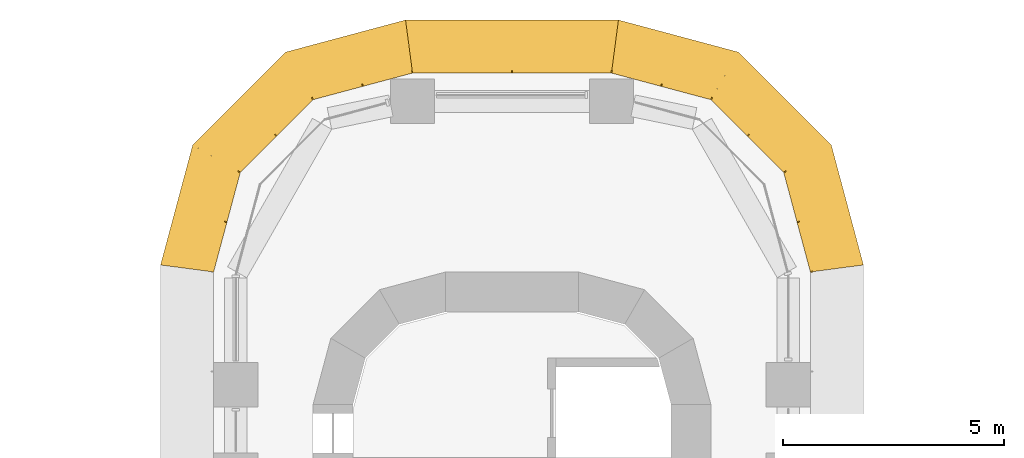
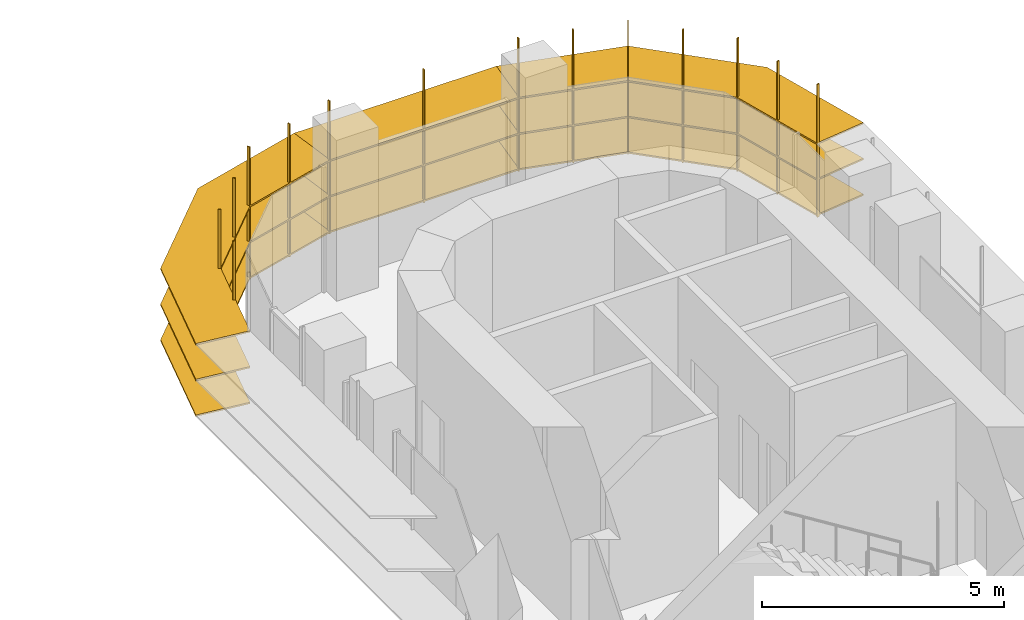
# One storey, part 23 of 23: 3 shading devices.
"""IFC4 building model written with IfcOpenShell, lengths in metres."""

from ifc_helpers import new_model, si_unit, direction, frame, origin, place, context, subcontext, project, spatial, polyline, outline, extrude, faceted_brep, source, transform, mapped, material, type_object, element, save


model = new_model("IFC4")

# Units and contexts
model_context = context("Model", 3, precision=1e-05, world=origin(), true_north=direction((0.0, 1.0)))
body_context = subcontext(model_context, "Body", "Model", "MODEL_VIEW")
ifc_project = project(units=[si_unit("LENGTHUNIT", "METRE"), si_unit("AREAUNIT", "SQUARE_METRE"), si_unit("VOLUMEUNIT", "CUBIC_METRE"), si_unit("PLANEANGLEUNIT", "RADIAN"), si_unit("MASSUNIT", "GRAM", prefix="KILO")], contexts=[model_context])

# Site, building, storey
site_placement = place(None, origin())
site = spatial("IfcSite", under=ifc_project, at=site_placement, CompositionType="ELEMENT")
building_placement = place(site_placement, origin())
building = spatial("IfcBuilding", under=site, at=building_placement, Name="Zarbagh Exchange Tower", CompositionType="ELEMENT")
storey_placement = place(building_placement, frame((0.0, 0.0, 48.0)))
storey = spatial("IfcBuildingStorey", under=building, at=storey_placement, Name="L10", CompositionType="ELEMENT", Elevation=48.0)

# Shading devices
ifc_material = material(Name="Anodised aluminium blades and brackets", Category="aluminium")
shading_device_type = type_object("IfcShadingDeviceType", Name="SUNSHADE louvre band, 0 degree blades", PredefinedType="JALOUSIE", material=ifc_material)
shared_shape_1 = source(origin(), body_context, "Body", "Brep", [
    faceted_brep([(0.0, 0.0, 0.0), (0.0, 0.0, -0.0400390625), (-0.157958984375, -1.199951171875, -0.0400390625), (-0.157958984375, -1.199951171875, 0.0), (2.65087890625, -1.199951171875, 0.0), (2.65087890625, -1.199951171875, -0.0400390625), (2.329345703125, 0.0, -0.0400390625), (2.329345703125, 0.0, 0.0)], [[[0, 1, 2, 3]], [[4, 5, 6, 7]], [[0, 7, 6, 1]], [[1, 6, 5, 2]], [[2, 5, 4, 3]], [[3, 4, 7, 0]]]),
])
shared_shape_2 = source(origin(), body_context, "Body", "Brep", [
    faceted_brep([(0.0, 0.0, 0.0), (0.0, 0.0, -0.0400390625), (-0.321533203125, -1.199951171875, -0.0400390625), (-0.321533203125, -1.199951171875, 0.0), (2.65087890625, -1.199951171875, 0.0), (2.65087890625, -1.199951171875, -0.0400390625), (2.329345703125, 0.0, -0.0400390625), (2.329345703125, 0.0, 0.0)], [[[0, 1, 2, 3]], [[4, 5, 6, 7]], [[0, 7, 6, 1]], [[1, 6, 5, 2]], [[2, 5, 4, 3]], [[3, 4, 7, 0]]]),
])
shared_shape_3 = source(origin(), body_context, "Body", "Brep", [
    faceted_brep([(0.0, 0.0, 0.0), (0.0, 0.0, -0.0400390625), (-0.321533203125, -1.199951171875, -0.0400390625), (-0.321533203125, -1.199951171875, 0.0), (2.4873046875, -1.199951171875, 0.0), (2.4873046875, -1.199951171875, -0.0400390625), (2.329345703125, 0.0, -0.0400390625), (2.329345703125, 0.0, 0.0)], [[[0, 1, 2, 3]], [[4, 5, 6, 7]], [[0, 7, 6, 1]], [[1, 6, 5, 2]], [[2, 5, 4, 3]], [[3, 4, 7, 0]]]),
])
shared_shape_4 = source(origin(), body_context, "Body", "SweptSolid", [
    extrude(outline(polyline([(0.0, -0.012451171875), (0.06005859375, -0.012451171875), (0.06005859375, 0.012451171875), (0.0, 0.012451171875), (0.0, -0.012451171875)])), origin(), (0.0, 0.0, 1.0), 3.35009765625),
])
placement = place(storey_placement, origin())
element("IfcShadingDevice", 1, at=placement, inside=storey, type_object=shading_device_type, Name="SS11 sunshade band", PredefinedType="JALOUSIE", context=body_context, shape_type="MappedRepresentation", body=[
    mapped(shared_shape_1, transform((6.75, 29.25, 2.699951171875), x_axis=(-0.258824779902, 0.965924289636, 0.0), y_axis=(-0.965924289636, -0.258824779902, 0.0), z_axis=(0.0, 0.0, 1.0))),
    mapped(shared_shape_1, transform((6.75, 29.25, 1.800048828125), x_axis=(-0.258824779902, 0.965924289636, 0.0), y_axis=(-0.965924289636, -0.258824779902, 0.0), z_axis=(0.0, 0.0, 1.0))),
    mapped(shared_shape_1, transform((6.75, 29.25, 0.89990234375), x_axis=(-0.258824779902, 0.965924289636, 0.0), y_axis=(-0.965924289636, -0.258824779902, 0.0), z_axis=(0.0, 0.0, 1.0))),
    mapped(shared_shape_2, transform((6.147216796875, 31.5, 2.699951171875), x_axis=(-0.707106781187, 0.707106781187, 0.0), y_axis=(-0.707106781187, -0.707106781187, 0.0), z_axis=(0.0, 0.0, 1.0))),
    mapped(shared_shape_2, transform((6.147216796875, 31.5, 1.800048828125), x_axis=(-0.707106781187, 0.707106781187, 0.0), y_axis=(-0.707106781187, -0.707106781187, 0.0), z_axis=(0.0, 0.0, 1.0))),
    mapped(shared_shape_2, transform((6.147216796875, 31.5, 0.89990234375), x_axis=(-0.707106781187, 0.707106781187, 0.0), y_axis=(-0.707106781187, -0.707106781187, 0.0), z_axis=(0.0, 0.0, 1.0))),
    mapped(shared_shape_3, transform((4.5, 33.147216796875, 2.699951171875), x_axis=(-0.965924289636, 0.258824779902, 0.0), y_axis=(-0.258824779902, -0.965924289636, 0.0), z_axis=(0.0, 0.0, 1.0))),
    mapped(shared_shape_3, transform((4.5, 33.147216796875, 1.800048828125), x_axis=(-0.965924289636, 0.258824779902, 0.0), y_axis=(-0.258824779902, -0.965924289636, 0.0), z_axis=(0.0, 0.0, 1.0))),
    mapped(shared_shape_3, transform((4.5, 33.147216796875, 0.89990234375), x_axis=(-0.965924289636, 0.258824779902, 0.0), y_axis=(-0.258824779902, -0.965924289636, 0.0), z_axis=(0.0, 0.0, 1.0))),
    mapped(shared_shape_4, transform((6.75, 29.25, 0.830078125), x_axis=(0.991444457092, 0.130529263012, 0.0), y_axis=(-0.130529263012, 0.991444457092, 0.0), z_axis=(0.0, 0.0, 1.0))),
    mapped(shared_shape_4, transform((6.448486328125, 30.375, 0.830078125), x_axis=(0.96592421511, 0.258825058029, 0.0), y_axis=(-0.258825058029, 0.96592421511, 0.0), z_axis=(0.0, 0.0, 1.0))),
    mapped(shared_shape_4, transform((6.147216796875, 31.5, 0.830078125), x_axis=(0.866023812018, 0.50000275701, 0.0), y_axis=(-0.50000275701, 0.866023812018, 0.0), z_axis=(0.0, 0.0, 1.0))),
    mapped(shared_shape_4, transform((5.323486328125, 32.323486328125, 0.830078125), x_axis=(0.707106781187, 0.707106781187, 0.0), y_axis=(-0.707106781187, 0.707106781187, 0.0), z_axis=(0.0, 0.0, 1.0))),
    mapped(shared_shape_4, transform((4.5, 33.147216796875, 0.830078125), x_axis=(0.50000275701, 0.866023812018, 0.0), y_axis=(-0.866023812018, 0.50000275701, 0.0), z_axis=(0.0, 0.0, 1.0))),
    mapped(shared_shape_4, transform((3.375, 33.448486328125, 0.830078125), x_axis=(0.258825058029, 0.96592421511, 0.0), y_axis=(-0.96592421511, 0.258825058029, 0.0), z_axis=(0.0, 0.0, 1.0))),
])
element("IfcShadingDevice", 2, at=placement, inside=storey, type_object=shading_device_type, Name="SS13 sunshade band", PredefinedType="JALOUSIE", context=body_context, shape_type="MappedRepresentation", body=[
    mapped(shared_shape_1, transform((-2.25, 33.75, 2.699951171875), x_axis=(-0.965924289636, -0.258824779902, 0.0), y_axis=(0.258824779902, -0.965924289636, 0.0), z_axis=(0.0, 0.0, 1.0))),
    mapped(shared_shape_1, transform((-2.25, 33.75, 1.800048828125), x_axis=(-0.965924289636, -0.258824779902, 0.0), y_axis=(0.258824779902, -0.965924289636, 0.0), z_axis=(0.0, 0.0, 1.0))),
    mapped(shared_shape_1, transform((-2.25, 33.75, 0.89990234375), x_axis=(-0.965924289636, -0.258824779902, 0.0), y_axis=(0.258824779902, -0.965924289636, 0.0), z_axis=(0.0, 0.0, 1.0))),
    mapped(shared_shape_2, transform((-4.5, 33.147216796875, 2.699951171875), x_axis=(-0.707106781187, -0.707106781187, 0.0), y_axis=(0.707106781187, -0.707106781187, 0.0), z_axis=(0.0, 0.0, 1.0))),
    mapped(shared_shape_2, transform((-4.5, 33.147216796875, 1.800048828125), x_axis=(-0.707106781187, -0.707106781187, 0.0), y_axis=(0.707106781187, -0.707106781187, 0.0), z_axis=(0.0, 0.0, 1.0))),
    mapped(shared_shape_2, transform((-4.5, 33.147216796875, 0.89990234375), x_axis=(-0.707106781187, -0.707106781187, 0.0), y_axis=(0.707106781187, -0.707106781187, 0.0), z_axis=(0.0, 0.0, 1.0))),
    mapped(shared_shape_3, transform((-6.147216796875, 31.5, 2.699951171875), x_axis=(-0.258824779902, -0.965924289636, 0.0), y_axis=(0.965924289636, -0.258824779902, 0.0), z_axis=(0.0, 0.0, 1.0))),
    mapped(shared_shape_3, transform((-6.147216796875, 31.5, 1.800048828125), x_axis=(-0.258824779902, -0.965924289636, 0.0), y_axis=(0.965924289636, -0.258824779902, 0.0), z_axis=(0.0, 0.0, 1.0))),
    mapped(shared_shape_3, transform((-6.147216796875, 31.5, 0.89990234375), x_axis=(-0.258824779902, -0.965924289636, 0.0), y_axis=(0.965924289636, -0.258824779902, 0.0), z_axis=(0.0, 0.0, 1.0))),
    mapped(shared_shape_4, transform((-2.25, 33.75, 0.830078125), x_axis=(-0.130529263012, 0.991444457092, 0.0), y_axis=(-0.991444457092, -0.130529263012, 0.0), z_axis=(0.0, 0.0, 1.0))),
    mapped(shared_shape_4, transform((-3.375, 33.448486328125, 0.830078125), x_axis=(-0.258825058029, 0.96592421511, 0.0), y_axis=(-0.96592421511, -0.258825058029, 0.0), z_axis=(0.0, 0.0, 1.0))),
    mapped(shared_shape_4, transform((-4.5, 33.147216796875, 0.830078125), x_axis=(-0.50000275701, 0.866023812018, 0.0), y_axis=(-0.866023812018, -0.50000275701, 0.0), z_axis=(0.0, 0.0, 1.0))),
    mapped(shared_shape_4, transform((-5.323486328125, 32.323486328125, 0.830078125), x_axis=(-0.707106781187, 0.707106781187, 0.0), y_axis=(-0.707106781187, -0.707106781187, 0.0), z_axis=(0.0, 0.0, 1.0))),
    mapped(shared_shape_4, transform((-6.147216796875, 31.5, 0.830078125), x_axis=(-0.866023812018, 0.50000275701, 0.0), y_axis=(-0.50000275701, -0.866023812018, 0.0), z_axis=(0.0, 0.0, 1.0))),
    mapped(shared_shape_4, transform((-6.448486328125, 30.375, 0.830078125), x_axis=(-0.96592421511, 0.258825058029, 0.0), y_axis=(-0.258825058029, -0.96592421511, 0.0), z_axis=(0.0, 0.0, 1.0))),
])
shared_shape_5 = source(origin(), body_context, "Body", "Brep", [
    faceted_brep([(0.0, 0.0, 0.0), (0.0, 0.0, -0.0400390625), (-0.157958984375, -1.199951171875, -0.0400390625), (-0.157958984375, -1.199951171875, 0.0), (4.657958984375, -1.199951171875, 0.0), (4.657958984375, -1.199951171875, -0.0400390625), (4.5, 0.0, -0.0400390625), (4.5, 0.0, 0.0)], [[[0, 1, 2, 3]], [[4, 5, 6, 7]], [[0, 7, 6, 1]], [[1, 6, 5, 2]], [[2, 5, 4, 3]], [[3, 4, 7, 0]]]),
])
element("IfcShadingDevice", 3, at=placement, inside=storey, type_object=shading_device_type, Name="SS12 sunshade band", PredefinedType="JALOUSIE", context=body_context, shape_type="MappedRepresentation", body=[
    mapped(shared_shape_5, transform((2.25, 33.75, 2.699951171875), x_axis=(-1.0, 0.0, 0.0), y_axis=(0.0, -1.0, 0.0), z_axis=(0.0, 0.0, 1.0))),
    mapped(shared_shape_5, transform((2.25, 33.75, 1.800048828125), x_axis=(-1.0, 0.0, 0.0), y_axis=(0.0, -1.0, 0.0), z_axis=(0.0, 0.0, 1.0))),
    mapped(shared_shape_5, transform((2.25, 33.75, 0.89990234375), x_axis=(-1.0, 0.0, 0.0), y_axis=(0.0, -1.0, 0.0), z_axis=(0.0, 0.0, 1.0))),
    mapped(shared_shape_4, transform((2.25, 33.75, 0.830078125), x_axis=(0.130529263012, 0.991444457092, 0.0), y_axis=(-0.991444457092, 0.130529263012, 0.0), z_axis=(0.0, 0.0, 1.0))),
    mapped(shared_shape_4, transform((0.0, 33.75, 0.830078125), x_axis=(0.0, 1.0, 0.0), y_axis=(-1.0, 0.0, 0.0), z_axis=(0.0, 0.0, 1.0))),
])

save(model, "model.ifc")
